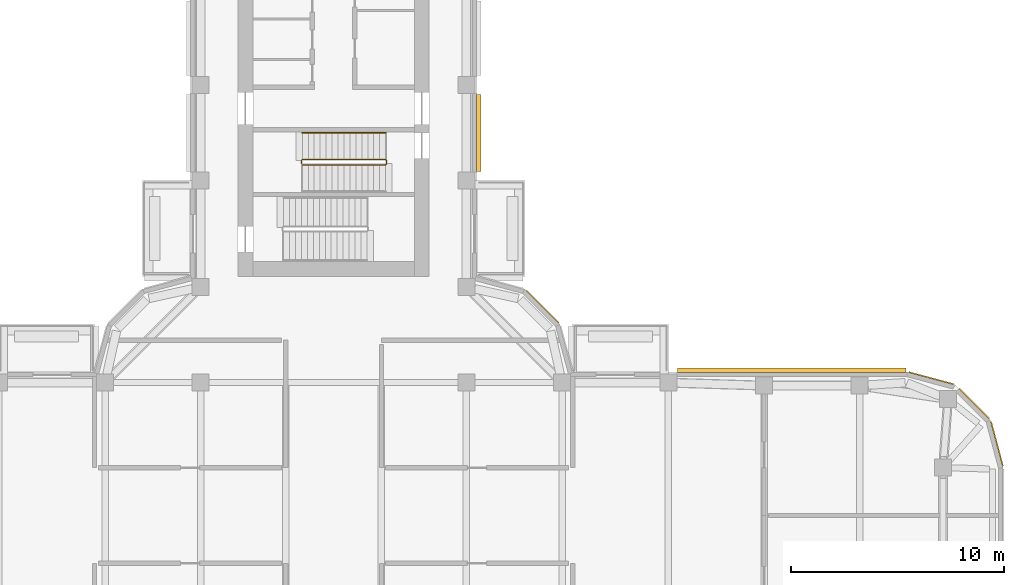
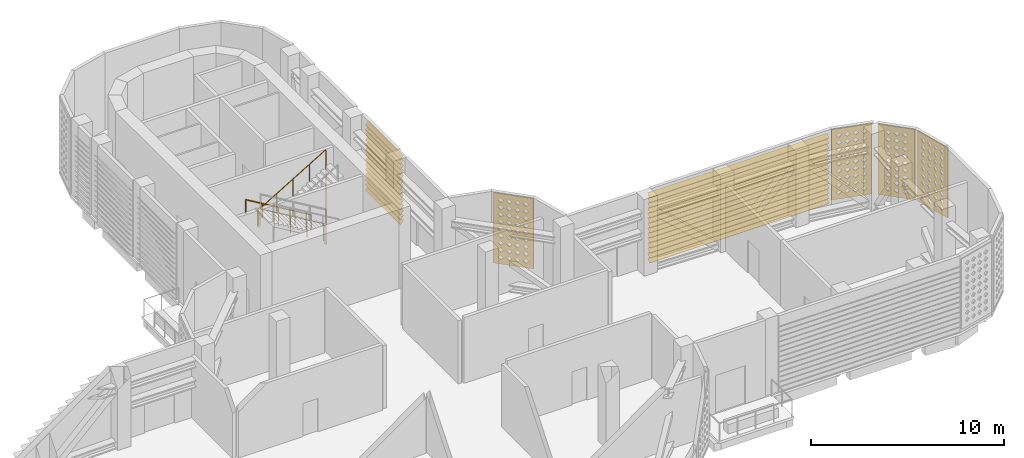
# One storey, part 19 of 21: 4 coverings, 2 railings, 2 shading devices.
"""IFC4 building model written with IfcOpenShell, lengths in metres."""

from ifc_helpers import new_model, si_unit, direction, frame, origin, origin_2d, place, context, subcontext, project, spatial, polyline, circle, outline, extrude, source, transform, mapped, material, layer, layer_set, type_object, element, save


model = new_model("IFC4")

# Units and contexts
model_context = context("Model", 3, precision=1e-05, world=origin(), true_north=direction((0.0, 1.0)))
body_context = subcontext(model_context, "Body", "Model", "MODEL_VIEW")
ifc_project = project(units=[si_unit("LENGTHUNIT", "METRE"), si_unit("AREAUNIT", "SQUARE_METRE"), si_unit("VOLUMEUNIT", "CUBIC_METRE"), si_unit("PLANEANGLEUNIT", "RADIAN"), si_unit("MASSUNIT", "GRAM", prefix="KILO")], contexts=[model_context])

# Site, building, storey
site_placement = place(None, origin())
site = spatial("IfcSite", under=ifc_project, at=site_placement, CompositionType="ELEMENT")
building_placement = place(site_placement, origin())
building = spatial("IfcBuilding", under=site, at=building_placement, Name="Zarbagh Exchange Tower", CompositionType="ELEMENT")
storey_placement = place(building_placement, frame((0.0, 0.0, 190.39990234375)))
storey = spatial("IfcBuildingStorey", under=building, at=storey_placement, Name="L46", CompositionType="ELEMENT", Elevation=190.39990234375)

# Railings
ifc_material_1 = material(Name="Stainless steel", Category="steel")
railing_type_1 = type_object("IfcRailingType", Name="Stair guard 1100 mm", PredefinedType="GUARDRAIL", material=ifc_material_1)
railing_1_placement = place(storey_placement, frame((-1.469970703125, 16.5, 2.666748046875)))
element("IfcRailing", 1, at=railing_1_placement, inside=storey, type_object=railing_type_1, Name="ST1 stair guard 1", PredefinedType="GUARDRAIL", context=body_context, shape_type="SweptSolid", body=[
    extrude(circle(Radius=0.02392578125, at=origin_2d()), frame((0.0, 0.0, 1.076171875), z_axis=(0.859296244711, 0.0, 0.511478214419), x_axis=(0.0, 1.0, 0.0)), (0.0, 0.0, 1.0), 4.561767578125),
    extrude(circle(Radius=0.02392578125, at=origin_2d()), frame((3.919921875, 0.0, 3.4091796875), z_axis=(0.010008762843, 0.010008762843, -0.999899819648), x_axis=(-0.707106781187, 0.707106781187, 0.0)), (0.0, 0.0, 1.0), 5.00048828125),
    extrude(circle(Radius=0.02392578125, at=origin_2d()), frame((3.969970703125, 0.050048828125, -1.5908203125), z_axis=(0.0, 1.0, 0.0), x_axis=(-1.0, 0.0, 0.0)), (0.0, 0.0, 1.0), 0.14990234375),
    extrude(circle(Radius=0.02392578125, at=origin_2d()), frame((3.969970703125, 0.199951171875, -1.5908203125), z_axis=(-0.27628659633, 0.27628659633, 0.920506074601), x_axis=(-0.707106781187, -0.707106781187, 0.0)), (0.0, 0.0, 1.0), 0.18115234375),
    extrude(circle(Radius=0.02392578125, at=origin_2d()), frame((3.919921875, 0.25, -1.423828125), z_axis=(-0.859296244711, 0.0, 0.511478214419), x_axis=(0.0, -1.0, 0.0)), (0.0, 0.0, 1.0), 4.561767578125),
    extrude(circle(Radius=0.02392578125, at=origin_2d()), frame((0.0, 0.25, 0.9091796875), z_axis=(-0.707106781187, -0.707106781187, 0.0), x_axis=(0.707106781187, -0.707106781187, 0.0)), (0.0, 0.0, 1.0), 0.07080078125),
    extrude(circle(Radius=0.02392578125, at=origin_2d()), frame((-0.050048828125, 0.199951171875, 0.9091796875), z_axis=(0.0, -1.0, 0.0), x_axis=(1.0, 0.0, 0.0)), (0.0, 0.0, 1.0), 0.14990234375),
    extrude(circle(Radius=0.02099609375, at=origin_2d()), origin(), (0.0, 0.0, 1.0), 1.052001953125),
    extrude(circle(Radius=0.02099609375, at=origin_2d()), frame((0.97998046875, 0.0, 0.583251953125)), (0.0, 0.0, 1.0), 1.052001953125),
    extrude(circle(Radius=0.02099609375, at=origin_2d()), frame((1.9599609375, 0.0, 1.16650390625)), (0.0, 0.0, 1.0), 1.052001953125),
    extrude(circle(Radius=0.02099609375, at=origin_2d()), frame((2.93994140625, 0.0, 1.75)), (0.0, 0.0, 1.0), 1.052001953125),
    extrude(circle(Radius=0.02099609375, at=origin_2d()), frame((3.919921875, 0.0, 2.333251953125)), (0.0, 0.0, 1.0), 1.052001953125),
    extrude(circle(Radius=0.02099609375, at=origin_2d()), frame((3.929931640625, 0.010009765625, 1.333251953125)), (0.0, 0.0, 1.0), 1.052001953125),
    extrude(circle(Radius=0.02099609375, at=origin_2d()), frame((3.93994140625, 0.02001953125, 0.333251953125)), (0.0, 0.0, 1.0), 1.052001953125),
    extrude(circle(Radius=0.02099609375, at=origin_2d()), frame((3.949951171875, 0.030029296875, -0.666748046875)), (0.0, 0.0, 1.0), 1.052001953125),
    extrude(circle(Radius=0.02099609375, at=origin_2d()), frame((3.9599609375, 0.0400390625, -1.666748046875)), (0.0, 0.0, 1.0), 1.052001953125),
    extrude(circle(Radius=0.02099609375, at=origin_2d()), frame((3.969970703125, 0.050048828125, -2.666748046875)), (0.0, 0.0, 1.0), 1.052001953125),
    extrude(circle(Radius=0.02099609375, at=origin_2d()), frame((3.969970703125, 0.199951171875, -2.666748046875)), (0.0, 0.0, 1.0), 1.052001953125),
    extrude(circle(Radius=0.02099609375, at=origin_2d()), frame((3.919921875, 0.25, -2.5)), (0.0, 0.0, 1.0), 1.052001953125),
    extrude(circle(Radius=0.02099609375, at=origin_2d()), frame((2.93994140625, 0.25, -1.916748046875)), (0.0, 0.0, 1.0), 1.052001953125),
    extrude(circle(Radius=0.02099609375, at=origin_2d()), frame((1.9599609375, 0.25, -1.33349609375)), (0.0, 0.0, 1.0), 1.052001953125),
    extrude(circle(Radius=0.02099609375, at=origin_2d()), frame((0.97998046875, 0.25, -0.75)), (0.0, 0.0, 1.0), 1.052001953125),
    extrude(circle(Radius=0.02099609375, at=origin_2d()), frame((0.0, 0.25, -0.166748046875)), (0.0, 0.0, 1.0), 1.052001953125),
    extrude(circle(Radius=0.02099609375, at=origin_2d()), frame((-0.050048828125, 0.199951171875, -0.166748046875)), (0.0, 0.0, 1.0), 1.052001953125),
    extrude(circle(Radius=0.02099609375, at=origin_2d()), frame((-0.050048828125, 0.050048828125, -0.166748046875)), (0.0, 0.0, 1.0), 1.052001953125),
])
railing_type_2 = type_object("IfcRailingType", Name="Stair handrail 900 mm", PredefinedType="HANDRAIL", material=ifc_material_1)
railing_2_placement = place(storey_placement, frame((2.449951171875, 18.0, 0.166748046875)))
element("IfcRailing", 2, at=railing_2_placement, inside=storey, type_object=railing_type_2, Name="ST1 stair handrail 1", PredefinedType="HANDRAIL", context=body_context, shape_type="SweptSolid", body=[
    extrude(circle(Radius=0.02392578125, at=origin_2d()), frame((0.0, 0.0, 0.8759765625), z_axis=(-0.859296244711, 0.0, 0.511478214419), x_axis=(0.0, -1.0, 0.0)), (0.0, 0.0, 1.0), 4.561767578125),
    extrude(circle(Radius=0.02099609375, at=origin_2d()), origin(), (0.0, 0.0, 1.0), 0.851806640625),
    extrude(circle(Radius=0.02099609375, at=origin_2d()), frame((-0.97998046875, 0.0, 0.583251953125)), (0.0, 0.0, 1.0), 0.851806640625),
    extrude(circle(Radius=0.02099609375, at=origin_2d()), frame((-1.9599609375, 0.0, 1.16650390625)), (0.0, 0.0, 1.0), 0.851806640625),
    extrude(circle(Radius=0.02099609375, at=origin_2d()), frame((-2.93994140625, 0.0, 1.75)), (0.0, 0.0, 1.0), 0.851806640625),
    extrude(circle(Radius=0.02099609375, at=origin_2d()), frame((-3.919921875, 0.0, 2.333251953125)), (0.0, 0.0, 1.0), 0.851806640625),
])

# Coverings
ifc_material_2 = material(Name="Glass-fibre reinforced concrete GFRC C50/60", Category="concrete")
ifc_layer = layer(ifc_material_2, 0.06005859375)
ifc_layer_set = layer_set([ifc_layer], Name="SCREEN jali panel, GFRC")
covering_type = type_object("IfcCoveringType", Name="SCREEN jali panel, GFRC", PredefinedType="CLADDING", material=ifc_layer_set)
shared_shape_1 = source(origin(), body_context, "Body", "SweptSolid", [
    extrude(outline(polyline([(0.0, 0.0), (2.1650390625, 0.0), (2.1650390625, 4.449951171875), (0.0, 4.449951171875), (0.0, 0.0)]), holes=[polyline([(0.257568359375, 0.425048828125), (0.407470703125, 0.27490234375), (0.5576171875, 0.425048828125), (0.407470703125, 0.574951171875), (0.257568359375, 0.425048828125)]), polyline([(0.257568359375, 0.875), (0.407470703125, 0.72509765625), (0.5576171875, 0.875), (0.407470703125, 1.02490234375), (0.257568359375, 0.875)]), polyline([(0.257568359375, 1.324951171875), (0.407470703125, 1.175048828125), (0.5576171875, 1.324951171875), (0.407470703125, 1.47509765625), (0.257568359375, 1.324951171875)]), polyline([(0.257568359375, 1.77490234375), (0.407470703125, 1.625), (0.5576171875, 1.77490234375), (0.407470703125, 1.925048828125), (0.257568359375, 1.77490234375)]), polyline([(0.257568359375, 2.22509765625), (0.407470703125, 2.074951171875), (0.5576171875, 2.22509765625), (0.407470703125, 2.375), (0.257568359375, 2.22509765625)]), polyline([(0.257568359375, 2.675048828125), (0.407470703125, 2.52490234375), (0.5576171875, 2.675048828125), (0.407470703125, 2.824951171875), (0.257568359375, 2.675048828125)]), polyline([(0.257568359375, 3.125), (0.407470703125, 2.97509765625), (0.5576171875, 3.125), (0.407470703125, 3.27490234375), (0.257568359375, 3.125)]), polyline([(0.257568359375, 3.574951171875), (0.407470703125, 3.425048828125), (0.5576171875, 3.574951171875), (0.407470703125, 3.72509765625), (0.257568359375, 3.574951171875)]), polyline([(0.257568359375, 4.02490234375), (0.407470703125, 3.875), (0.5576171875, 4.02490234375), (0.407470703125, 4.175048828125), (0.257568359375, 4.02490234375)]), polyline([(0.70751953125, 0.425048828125), (0.857421875, 0.27490234375), (1.007568359375, 0.425048828125), (0.857421875, 0.574951171875), (0.70751953125, 0.425048828125)]), polyline([(0.70751953125, 0.875), (0.857421875, 0.72509765625), (1.007568359375, 0.875), (0.857421875, 1.02490234375), (0.70751953125, 0.875)]), polyline([(0.70751953125, 1.324951171875), (0.857421875, 1.175048828125), (1.007568359375, 1.324951171875), (0.857421875, 1.47509765625), (0.70751953125, 1.324951171875)]), polyline([(0.70751953125, 1.77490234375), (0.857421875, 1.625), (1.007568359375, 1.77490234375), (0.857421875, 1.925048828125), (0.70751953125, 1.77490234375)]), polyline([(0.70751953125, 2.22509765625), (0.857421875, 2.074951171875), (1.007568359375, 2.22509765625), (0.857421875, 2.375), (0.70751953125, 2.22509765625)]), polyline([(0.70751953125, 2.675048828125), (0.857421875, 2.52490234375), (1.007568359375, 2.675048828125), (0.857421875, 2.824951171875), (0.70751953125, 2.675048828125)]), polyline([(0.70751953125, 3.125), (0.857421875, 2.97509765625), (1.007568359375, 3.125), (0.857421875, 3.27490234375), (0.70751953125, 3.125)]), polyline([(0.70751953125, 3.574951171875), (0.857421875, 3.425048828125), (1.007568359375, 3.574951171875), (0.857421875, 3.72509765625), (0.70751953125, 3.574951171875)]), polyline([(0.70751953125, 4.02490234375), (0.857421875, 3.875), (1.007568359375, 4.02490234375), (0.857421875, 4.175048828125), (0.70751953125, 4.02490234375)]), polyline([(1.157470703125, 0.425048828125), (1.3076171875, 0.27490234375), (1.45751953125, 0.425048828125), (1.3076171875, 0.574951171875), (1.157470703125, 0.425048828125)]), polyline([(1.157470703125, 0.875), (1.3076171875, 0.72509765625), (1.45751953125, 0.875), (1.3076171875, 1.02490234375), (1.157470703125, 0.875)]), polyline([(1.157470703125, 1.324951171875), (1.3076171875, 1.175048828125), (1.45751953125, 1.324951171875), (1.3076171875, 1.47509765625), (1.157470703125, 1.324951171875)]), polyline([(1.157470703125, 1.77490234375), (1.3076171875, 1.625), (1.45751953125, 1.77490234375), (1.3076171875, 1.925048828125), (1.157470703125, 1.77490234375)]), polyline([(1.157470703125, 2.22509765625), (1.3076171875, 2.074951171875), (1.45751953125, 2.22509765625), (1.3076171875, 2.375), (1.157470703125, 2.22509765625)]), polyline([(1.157470703125, 2.675048828125), (1.3076171875, 2.52490234375), (1.45751953125, 2.675048828125), (1.3076171875, 2.824951171875), (1.157470703125, 2.675048828125)]), polyline([(1.157470703125, 3.125), (1.3076171875, 2.97509765625), (1.45751953125, 3.125), (1.3076171875, 3.27490234375), (1.157470703125, 3.125)]), polyline([(1.157470703125, 3.574951171875), (1.3076171875, 3.425048828125), (1.45751953125, 3.574951171875), (1.3076171875, 3.72509765625), (1.157470703125, 3.574951171875)]), polyline([(1.157470703125, 4.02490234375), (1.3076171875, 3.875), (1.45751953125, 4.02490234375), (1.3076171875, 4.175048828125), (1.157470703125, 4.02490234375)]), polyline([(1.607421875, 0.425048828125), (1.757568359375, 0.27490234375), (1.907470703125, 0.425048828125), (1.757568359375, 0.574951171875), (1.607421875, 0.425048828125)]), polyline([(1.607421875, 0.875), (1.757568359375, 0.72509765625), (1.907470703125, 0.875), (1.757568359375, 1.02490234375), (1.607421875, 0.875)]), polyline([(1.607421875, 1.324951171875), (1.757568359375, 1.175048828125), (1.907470703125, 1.324951171875), (1.757568359375, 1.47509765625), (1.607421875, 1.324951171875)]), polyline([(1.607421875, 1.77490234375), (1.757568359375, 1.625), (1.907470703125, 1.77490234375), (1.757568359375, 1.925048828125), (1.607421875, 1.77490234375)]), polyline([(1.607421875, 2.22509765625), (1.757568359375, 2.074951171875), (1.907470703125, 2.22509765625), (1.757568359375, 2.375), (1.607421875, 2.22509765625)]), polyline([(1.607421875, 2.675048828125), (1.757568359375, 2.52490234375), (1.907470703125, 2.675048828125), (1.757568359375, 2.824951171875), (1.607421875, 2.675048828125)]), polyline([(1.607421875, 3.125), (1.757568359375, 2.97509765625), (1.907470703125, 3.125), (1.757568359375, 3.27490234375), (1.607421875, 3.125)]), polyline([(1.607421875, 3.574951171875), (1.757568359375, 3.425048828125), (1.907470703125, 3.574951171875), (1.757568359375, 3.72509765625), (1.607421875, 3.574951171875)]), polyline([(1.607421875, 4.02490234375), (1.757568359375, 3.875), (1.907470703125, 4.02490234375), (1.757568359375, 4.175048828125), (1.607421875, 4.02490234375)])]), origin(), (0.0, 0.0, 1.0), 0.06005859375),
])
placement = place(storey_placement, origin())
element("IfcCovering", 3, at=placement, inside=storey, type_object=covering_type, Name="JS15 jali screen", PredefinedType="CLADDING", context=body_context, shape_type="MappedRepresentation", body=[
    mapped(shared_shape_1, transform((10.574951171875, 9.0439453125, 0.2001953125), x_axis=(-0.707106781187, 0.707106781187, 0.0), y_axis=(0.0, 0.0, 1.0), z_axis=(0.707106781187, 0.707106781187, 0.0))),
])
shared_shape_2 = source(origin(), body_context, "Body", "SweptSolid", [
    extrude(outline(polyline([(0.0, 0.0), (2.181396484375, 0.0), (2.181396484375, 4.449951171875), (0.0, 4.449951171875), (0.0, 0.0)]), holes=[polyline([(0.265625, 0.425048828125), (0.415771484375, 0.27490234375), (0.565673828125, 0.425048828125), (0.415771484375, 0.574951171875), (0.265625, 0.425048828125)]), polyline([(0.265625, 0.875), (0.415771484375, 0.72509765625), (0.565673828125, 0.875), (0.415771484375, 1.02490234375), (0.265625, 0.875)]), polyline([(0.265625, 1.324951171875), (0.415771484375, 1.175048828125), (0.565673828125, 1.324951171875), (0.415771484375, 1.47509765625), (0.265625, 1.324951171875)]), polyline([(0.265625, 1.77490234375), (0.415771484375, 1.625), (0.565673828125, 1.77490234375), (0.415771484375, 1.925048828125), (0.265625, 1.77490234375)]), polyline([(0.265625, 2.22509765625), (0.415771484375, 2.074951171875), (0.565673828125, 2.22509765625), (0.415771484375, 2.375), (0.265625, 2.22509765625)]), polyline([(0.265625, 2.675048828125), (0.415771484375, 2.52490234375), (0.565673828125, 2.675048828125), (0.415771484375, 2.824951171875), (0.265625, 2.675048828125)]), polyline([(0.265625, 3.125), (0.415771484375, 2.97509765625), (0.565673828125, 3.125), (0.415771484375, 3.27490234375), (0.265625, 3.125)]), polyline([(0.265625, 3.574951171875), (0.415771484375, 3.425048828125), (0.565673828125, 3.574951171875), (0.415771484375, 3.72509765625), (0.265625, 3.574951171875)]), polyline([(0.265625, 4.02490234375), (0.415771484375, 3.875), (0.565673828125, 4.02490234375), (0.415771484375, 4.175048828125), (0.265625, 4.02490234375)]), polyline([(0.7158203125, 0.425048828125), (0.86572265625, 0.27490234375), (1.015625, 0.425048828125), (0.86572265625, 0.574951171875), (0.7158203125, 0.425048828125)]), polyline([(0.7158203125, 0.875), (0.86572265625, 0.72509765625), (1.015625, 0.875), (0.86572265625, 1.02490234375), (0.7158203125, 0.875)]), polyline([(0.7158203125, 1.324951171875), (0.86572265625, 1.175048828125), (1.015625, 1.324951171875), (0.86572265625, 1.47509765625), (0.7158203125, 1.324951171875)]), polyline([(0.7158203125, 1.77490234375), (0.86572265625, 1.625), (1.015625, 1.77490234375), (0.86572265625, 1.925048828125), (0.7158203125, 1.77490234375)]), polyline([(0.7158203125, 2.22509765625), (0.86572265625, 2.074951171875), (1.015625, 2.22509765625), (0.86572265625, 2.375), (0.7158203125, 2.22509765625)]), polyline([(0.7158203125, 2.675048828125), (0.86572265625, 2.52490234375), (1.015625, 2.675048828125), (0.86572265625, 2.824951171875), (0.7158203125, 2.675048828125)]), polyline([(0.7158203125, 3.125), (0.86572265625, 2.97509765625), (1.015625, 3.125), (0.86572265625, 3.27490234375), (0.7158203125, 3.125)]), polyline([(0.7158203125, 3.574951171875), (0.86572265625, 3.425048828125), (1.015625, 3.574951171875), (0.86572265625, 3.72509765625), (0.7158203125, 3.574951171875)]), polyline([(0.7158203125, 4.02490234375), (0.86572265625, 3.875), (1.015625, 4.02490234375), (0.86572265625, 4.175048828125), (0.7158203125, 4.02490234375)]), polyline([(1.165771484375, 0.425048828125), (1.315673828125, 0.27490234375), (1.4658203125, 0.425048828125), (1.315673828125, 0.574951171875), (1.165771484375, 0.425048828125)]), polyline([(1.165771484375, 0.875), (1.315673828125, 0.72509765625), (1.4658203125, 0.875), (1.315673828125, 1.02490234375), (1.165771484375, 0.875)]), polyline([(1.165771484375, 1.324951171875), (1.315673828125, 1.175048828125), (1.4658203125, 1.324951171875), (1.315673828125, 1.47509765625), (1.165771484375, 1.324951171875)]), polyline([(1.165771484375, 1.77490234375), (1.315673828125, 1.625), (1.4658203125, 1.77490234375), (1.315673828125, 1.925048828125), (1.165771484375, 1.77490234375)]), polyline([(1.165771484375, 2.22509765625), (1.315673828125, 2.074951171875), (1.4658203125, 2.22509765625), (1.315673828125, 2.375), (1.165771484375, 2.22509765625)]), polyline([(1.165771484375, 2.675048828125), (1.315673828125, 2.52490234375), (1.4658203125, 2.675048828125), (1.315673828125, 2.824951171875), (1.165771484375, 2.675048828125)]), polyline([(1.165771484375, 3.125), (1.315673828125, 2.97509765625), (1.4658203125, 3.125), (1.315673828125, 3.27490234375), (1.165771484375, 3.125)]), polyline([(1.165771484375, 3.574951171875), (1.315673828125, 3.425048828125), (1.4658203125, 3.574951171875), (1.315673828125, 3.72509765625), (1.165771484375, 3.574951171875)]), polyline([(1.165771484375, 4.02490234375), (1.315673828125, 3.875), (1.4658203125, 4.02490234375), (1.315673828125, 4.175048828125), (1.165771484375, 4.02490234375)]), polyline([(1.61572265625, 0.425048828125), (1.765625, 0.27490234375), (1.915771484375, 0.425048828125), (1.765625, 0.574951171875), (1.61572265625, 0.425048828125)]), polyline([(1.61572265625, 0.875), (1.765625, 0.72509765625), (1.915771484375, 0.875), (1.765625, 1.02490234375), (1.61572265625, 0.875)]), polyline([(1.61572265625, 1.324951171875), (1.765625, 1.175048828125), (1.915771484375, 1.324951171875), (1.765625, 1.47509765625), (1.61572265625, 1.324951171875)]), polyline([(1.61572265625, 1.77490234375), (1.765625, 1.625), (1.915771484375, 1.77490234375), (1.765625, 1.925048828125), (1.61572265625, 1.77490234375)]), polyline([(1.61572265625, 2.22509765625), (1.765625, 2.074951171875), (1.915771484375, 2.22509765625), (1.765625, 2.375), (1.61572265625, 2.22509765625)]), polyline([(1.61572265625, 2.675048828125), (1.765625, 2.52490234375), (1.915771484375, 2.675048828125), (1.765625, 2.824951171875), (1.61572265625, 2.675048828125)]), polyline([(1.61572265625, 3.125), (1.765625, 2.97509765625), (1.915771484375, 3.125), (1.765625, 3.27490234375), (1.61572265625, 3.125)]), polyline([(1.61572265625, 3.574951171875), (1.765625, 3.425048828125), (1.915771484375, 3.574951171875), (1.765625, 3.72509765625), (1.61572265625, 3.574951171875)]), polyline([(1.61572265625, 4.02490234375), (1.765625, 3.875), (1.915771484375, 4.02490234375), (1.765625, 4.175048828125), (1.61572265625, 4.02490234375)])]), origin(), (0.0, 0.0, 1.0), 0.06005859375),
])
element("IfcCovering", 4, at=placement, inside=storey, type_object=covering_type, Name="JS45 jali screen", PredefinedType="CLADDING", context=body_context, shape_type="MappedRepresentation", body=[
    mapped(shared_shape_2, transform((31.463623046875, 2.308349609375, 0.2001953125), x_axis=(-0.258825057666, 0.965924215207, 0.0), y_axis=(0.0, 0.0, 1.0), z_axis=(0.965924215207, 0.258825057666, 0.0))),
])
element("IfcCovering", 5, at=placement, inside=storey, type_object=covering_type, Name="JS47 jali screen", PredefinedType="CLADDING", context=body_context, shape_type="MappedRepresentation", body=[
    mapped(shared_shape_2, transform((29.16552734375, 6.14892578125, 0.2001953125), x_axis=(-0.965924215207, 0.258825057666, 0.0), y_axis=(0.0, 0.0, 1.0), z_axis=(0.258825057666, 0.965924215207, 0.0))),
])

# Shading devices
ifc_material_3 = material(Name="Anodised aluminium", Category="aluminium")
shading_device_type = type_object("IfcShadingDeviceType", Name="LOUVRE plant louvre, fixed blades", PredefinedType="USERDEFINED", material=ifc_material_3)
shared_shape_3 = source(origin(), body_context, "Body", "SweptSolid", [
    extrude(outline(polyline([(0.0, 0.199951171875), (0.199951171875, 0.0), (0.199951171875, -0.02001953125), (0.0, 0.179931640625), (0.0, 0.199951171875)])), origin(), (0.0, 0.0, 1.0), 3.6201171875),
])
element("IfcShadingDevice", 6, at=placement, inside=storey, type_object=shading_device_type, Name="LV11 plant louvre", ObjectType="LOUVRE", PredefinedType="USERDEFINED", context=body_context, shape_type="MappedRepresentation", body=[
    mapped(shared_shape_3, transform((6.72998046875, 16.18994140625, 0.2001953125), x_axis=(1.0, 0.0, 0.0), y_axis=(0.0, 0.0, -1.0), z_axis=(0.0, 1.0, 0.0))),
    mapped(shared_shape_3, transform((6.72998046875, 16.18994140625, 0.51806640625), x_axis=(1.0, 0.0, 0.0), y_axis=(0.0, 0.0, -1.0), z_axis=(0.0, 1.0, 0.0))),
    mapped(shared_shape_3, transform((6.72998046875, 16.18994140625, 0.835693359375), x_axis=(1.0, 0.0, 0.0), y_axis=(0.0, 0.0, -1.0), z_axis=(0.0, 1.0, 0.0))),
    mapped(shared_shape_3, transform((6.72998046875, 16.18994140625, 1.153564453125), x_axis=(1.0, 0.0, 0.0), y_axis=(0.0, 0.0, -1.0), z_axis=(0.0, 1.0, 0.0))),
    mapped(shared_shape_3, transform((6.72998046875, 16.18994140625, 1.471435546875), x_axis=(1.0, 0.0, 0.0), y_axis=(0.0, 0.0, -1.0), z_axis=(0.0, 1.0, 0.0))),
    mapped(shared_shape_3, transform((6.72998046875, 16.18994140625, 1.789306640625), x_axis=(1.0, 0.0, 0.0), y_axis=(0.0, 0.0, -1.0), z_axis=(0.0, 1.0, 0.0))),
    mapped(shared_shape_3, transform((6.72998046875, 16.18994140625, 2.107177734375), x_axis=(1.0, 0.0, 0.0), y_axis=(0.0, 0.0, -1.0), z_axis=(0.0, 1.0, 0.0))),
    mapped(shared_shape_3, transform((6.72998046875, 16.18994140625, 2.425048828125), x_axis=(1.0, 0.0, 0.0), y_axis=(0.0, 0.0, -1.0), z_axis=(0.0, 1.0, 0.0))),
    mapped(shared_shape_3, transform((6.72998046875, 16.18994140625, 2.742919921875), x_axis=(1.0, 0.0, 0.0), y_axis=(0.0, 0.0, -1.0), z_axis=(0.0, 1.0, 0.0))),
    mapped(shared_shape_3, transform((6.72998046875, 16.18994140625, 3.060791015625), x_axis=(1.0, 0.0, 0.0), y_axis=(0.0, 0.0, -1.0), z_axis=(0.0, 1.0, 0.0))),
    mapped(shared_shape_3, transform((6.72998046875, 16.18994140625, 3.378662109375), x_axis=(1.0, 0.0, 0.0), y_axis=(0.0, 0.0, -1.0), z_axis=(0.0, 1.0, 0.0))),
    mapped(shared_shape_3, transform((6.72998046875, 16.18994140625, 3.696533203125), x_axis=(1.0, 0.0, 0.0), y_axis=(0.0, 0.0, -1.0), z_axis=(0.0, 1.0, 0.0))),
    mapped(shared_shape_3, transform((6.72998046875, 16.18994140625, 4.014404296875), x_axis=(1.0, 0.0, 0.0), y_axis=(0.0, 0.0, -1.0), z_axis=(0.0, 1.0, 0.0))),
    mapped(shared_shape_3, transform((6.72998046875, 16.18994140625, 4.332275390625), x_axis=(1.0, 0.0, 0.0), y_axis=(0.0, 0.0, -1.0), z_axis=(0.0, 1.0, 0.0))),
])
shared_shape_4 = source(origin(), body_context, "Body", "SweptSolid", [
    extrude(outline(polyline([(0.0, 0.199951171875), (0.199951171875, 0.0), (0.199951171875, -0.02001953125), (0.0, 0.179931640625), (0.0, 0.199951171875)])), origin(), (0.0, 0.0, 1.0), 10.744140625),
])
element("IfcShadingDevice", 7, at=placement, inside=storey, type_object=shading_device_type, Name="LV10 plant louvre", ObjectType="LOUVRE", PredefinedType="USERDEFINED", context=body_context, shape_type="MappedRepresentation", body=[
    mapped(shared_shape_4, transform((26.93408203125, 6.72998046875, 0.2001953125), x_axis=(0.0, 1.0, 0.0), y_axis=(0.0, 0.0, -1.0), z_axis=(-1.0, 0.0, 0.0))),
    mapped(shared_shape_4, transform((26.93408203125, 6.72998046875, 0.51806640625), x_axis=(0.0, 1.0, 0.0), y_axis=(0.0, 0.0, -1.0), z_axis=(-1.0, 0.0, 0.0))),
    mapped(shared_shape_4, transform((26.93408203125, 6.72998046875, 0.835693359375), x_axis=(0.0, 1.0, 0.0), y_axis=(0.0, 0.0, -1.0), z_axis=(-1.0, 0.0, 0.0))),
    mapped(shared_shape_4, transform((26.93408203125, 6.72998046875, 1.153564453125), x_axis=(0.0, 1.0, 0.0), y_axis=(0.0, 0.0, -1.0), z_axis=(-1.0, 0.0, 0.0))),
    mapped(shared_shape_4, transform((26.93408203125, 6.72998046875, 1.471435546875), x_axis=(0.0, 1.0, 0.0), y_axis=(0.0, 0.0, -1.0), z_axis=(-1.0, 0.0, 0.0))),
    mapped(shared_shape_4, transform((26.93408203125, 6.72998046875, 1.789306640625), x_axis=(0.0, 1.0, 0.0), y_axis=(0.0, 0.0, -1.0), z_axis=(-1.0, 0.0, 0.0))),
    mapped(shared_shape_4, transform((26.93408203125, 6.72998046875, 2.107177734375), x_axis=(0.0, 1.0, 0.0), y_axis=(0.0, 0.0, -1.0), z_axis=(-1.0, 0.0, 0.0))),
    mapped(shared_shape_4, transform((26.93408203125, 6.72998046875, 2.425048828125), x_axis=(0.0, 1.0, 0.0), y_axis=(0.0, 0.0, -1.0), z_axis=(-1.0, 0.0, 0.0))),
    mapped(shared_shape_4, transform((26.93408203125, 6.72998046875, 2.742919921875), x_axis=(0.0, 1.0, 0.0), y_axis=(0.0, 0.0, -1.0), z_axis=(-1.0, 0.0, 0.0))),
    mapped(shared_shape_4, transform((26.93408203125, 6.72998046875, 3.060791015625), x_axis=(0.0, 1.0, 0.0), y_axis=(0.0, 0.0, -1.0), z_axis=(-1.0, 0.0, 0.0))),
    mapped(shared_shape_4, transform((26.93408203125, 6.72998046875, 3.378662109375), x_axis=(0.0, 1.0, 0.0), y_axis=(0.0, 0.0, -1.0), z_axis=(-1.0, 0.0, 0.0))),
    mapped(shared_shape_4, transform((26.93408203125, 6.72998046875, 3.696533203125), x_axis=(0.0, 1.0, 0.0), y_axis=(0.0, 0.0, -1.0), z_axis=(-1.0, 0.0, 0.0))),
    mapped(shared_shape_4, transform((26.93408203125, 6.72998046875, 4.014404296875), x_axis=(0.0, 1.0, 0.0), y_axis=(0.0, 0.0, -1.0), z_axis=(-1.0, 0.0, 0.0))),
    mapped(shared_shape_4, transform((26.93408203125, 6.72998046875, 4.332275390625), x_axis=(0.0, 1.0, 0.0), y_axis=(0.0, 0.0, -1.0), z_axis=(-1.0, 0.0, 0.0))),
])

# Covering
shared_shape_5 = source(origin(), body_context, "Body", "SweptSolid", [
    extrude(outline(polyline([(0.0, 0.0), (1.988525390625, 0.0), (1.988525390625, 4.449951171875), (0.0, 4.449951171875), (0.0, 0.0)]), holes=[polyline([(0.394287109375, 0.425048828125), (0.544189453125, 0.27490234375), (0.6943359375, 0.425048828125), (0.544189453125, 0.574951171875), (0.394287109375, 0.425048828125)]), polyline([(0.394287109375, 0.875), (0.544189453125, 0.72509765625), (0.6943359375, 0.875), (0.544189453125, 1.02490234375), (0.394287109375, 0.875)]), polyline([(0.394287109375, 1.324951171875), (0.544189453125, 1.175048828125), (0.6943359375, 1.324951171875), (0.544189453125, 1.47509765625), (0.394287109375, 1.324951171875)]), polyline([(0.394287109375, 1.77490234375), (0.544189453125, 1.625), (0.6943359375, 1.77490234375), (0.544189453125, 1.925048828125), (0.394287109375, 1.77490234375)]), polyline([(0.394287109375, 2.22509765625), (0.544189453125, 2.074951171875), (0.6943359375, 2.22509765625), (0.544189453125, 2.375), (0.394287109375, 2.22509765625)]), polyline([(0.394287109375, 2.675048828125), (0.544189453125, 2.52490234375), (0.6943359375, 2.675048828125), (0.544189453125, 2.824951171875), (0.394287109375, 2.675048828125)]), polyline([(0.394287109375, 3.125), (0.544189453125, 2.97509765625), (0.6943359375, 3.125), (0.544189453125, 3.27490234375), (0.394287109375, 3.125)]), polyline([(0.394287109375, 3.574951171875), (0.544189453125, 3.425048828125), (0.6943359375, 3.574951171875), (0.544189453125, 3.72509765625), (0.394287109375, 3.574951171875)]), polyline([(0.394287109375, 4.02490234375), (0.544189453125, 3.875), (0.6943359375, 4.02490234375), (0.544189453125, 4.175048828125), (0.394287109375, 4.02490234375)]), polyline([(0.84423828125, 0.425048828125), (0.994384765625, 0.27490234375), (1.144287109375, 0.425048828125), (0.994384765625, 0.574951171875), (0.84423828125, 0.425048828125)]), polyline([(0.84423828125, 0.875), (0.994384765625, 0.72509765625), (1.144287109375, 0.875), (0.994384765625, 1.02490234375), (0.84423828125, 0.875)]), polyline([(0.84423828125, 1.324951171875), (0.994384765625, 1.175048828125), (1.144287109375, 1.324951171875), (0.994384765625, 1.47509765625), (0.84423828125, 1.324951171875)]), polyline([(0.84423828125, 1.77490234375), (0.994384765625, 1.625), (1.144287109375, 1.77490234375), (0.994384765625, 1.925048828125), (0.84423828125, 1.77490234375)]), polyline([(0.84423828125, 2.22509765625), (0.994384765625, 2.074951171875), (1.144287109375, 2.22509765625), (0.994384765625, 2.375), (0.84423828125, 2.22509765625)]), polyline([(0.84423828125, 2.675048828125), (0.994384765625, 2.52490234375), (1.144287109375, 2.675048828125), (0.994384765625, 2.824951171875), (0.84423828125, 2.675048828125)]), polyline([(0.84423828125, 3.125), (0.994384765625, 2.97509765625), (1.144287109375, 3.125), (0.994384765625, 3.27490234375), (0.84423828125, 3.125)]), polyline([(0.84423828125, 3.574951171875), (0.994384765625, 3.425048828125), (1.144287109375, 3.574951171875), (0.994384765625, 3.72509765625), (0.84423828125, 3.574951171875)]), polyline([(0.84423828125, 4.02490234375), (0.994384765625, 3.875), (1.144287109375, 4.02490234375), (0.994384765625, 4.175048828125), (0.84423828125, 4.02490234375)]), polyline([(1.294189453125, 0.425048828125), (1.4443359375, 0.27490234375), (1.59423828125, 0.425048828125), (1.4443359375, 0.574951171875), (1.294189453125, 0.425048828125)]), polyline([(1.294189453125, 0.875), (1.4443359375, 0.72509765625), (1.59423828125, 0.875), (1.4443359375, 1.02490234375), (1.294189453125, 0.875)]), polyline([(1.294189453125, 1.324951171875), (1.4443359375, 1.175048828125), (1.59423828125, 1.324951171875), (1.4443359375, 1.47509765625), (1.294189453125, 1.324951171875)]), polyline([(1.294189453125, 1.77490234375), (1.4443359375, 1.625), (1.59423828125, 1.77490234375), (1.4443359375, 1.925048828125), (1.294189453125, 1.77490234375)]), polyline([(1.294189453125, 2.22509765625), (1.4443359375, 2.074951171875), (1.59423828125, 2.22509765625), (1.4443359375, 2.375), (1.294189453125, 2.22509765625)]), polyline([(1.294189453125, 2.675048828125), (1.4443359375, 2.52490234375), (1.59423828125, 2.675048828125), (1.4443359375, 2.824951171875), (1.294189453125, 2.675048828125)]), polyline([(1.294189453125, 3.125), (1.4443359375, 2.97509765625), (1.59423828125, 3.125), (1.4443359375, 3.27490234375), (1.294189453125, 3.125)]), polyline([(1.294189453125, 3.574951171875), (1.4443359375, 3.425048828125), (1.59423828125, 3.574951171875), (1.4443359375, 3.72509765625), (1.294189453125, 3.574951171875)]), polyline([(1.294189453125, 4.02490234375), (1.4443359375, 3.875), (1.59423828125, 4.02490234375), (1.4443359375, 4.175048828125), (1.294189453125, 4.02490234375)])]), origin(), (0.0, 0.0, 1.0), 0.06005859375),
])
element("IfcCovering", 8, at=placement, inside=storey, type_object=covering_type, Name="JS46 jali screen", PredefinedType="CLADDING", context=body_context, shape_type="MappedRepresentation", body=[
    mapped(shared_shape_5, transform((30.824951171875, 4.5439453125, 0.2001953125), x_axis=(-0.707106781187, 0.707106781187, 0.0), y_axis=(0.0, 0.0, 1.0), z_axis=(0.707106781187, 0.707106781187, 0.0))),
])

save(model, "model.ifc")
